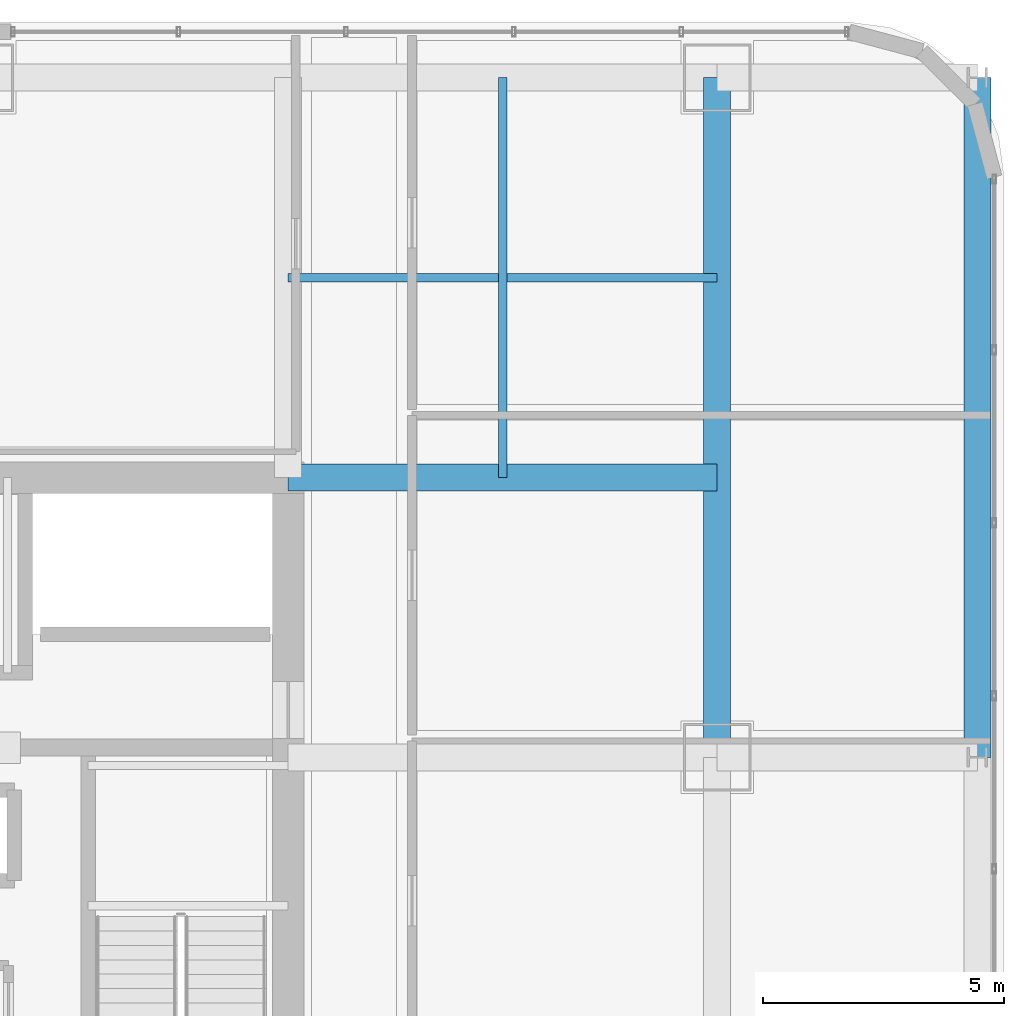
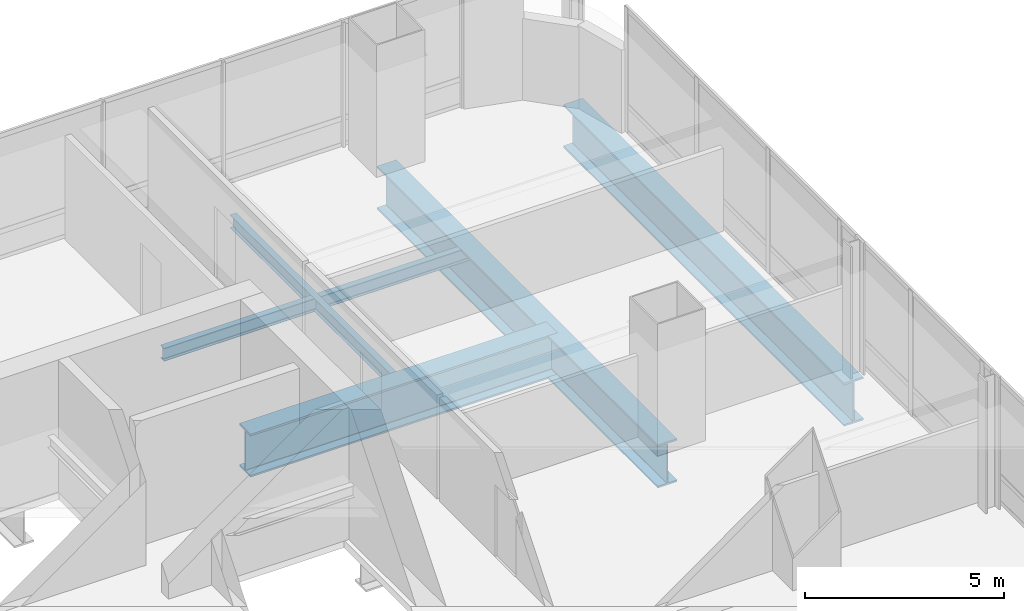
# One storey, part 23 of 41: 5 beams.
"""IFC4 building model written with IfcOpenShell, lengths in metres."""

from ifc_helpers import new_model, si_unit, direction, frame, origin, origin_2d, place, context, subcontext, project, spatial, i_section, extrude, material, material_profile, profile_set, type_object, element, save


model = new_model("IFC4")

# Units and contexts
model_context = context("Model", 3, precision=1e-05, world=origin(), true_north=direction((0.0, 1.0)))
body_context = subcontext(model_context, "Body", "Model", "MODEL_VIEW")
ifc_project = project(units=[si_unit("LENGTHUNIT", "METRE"), si_unit("AREAUNIT", "SQUARE_METRE"), si_unit("VOLUMEUNIT", "CUBIC_METRE"), si_unit("PLANEANGLEUNIT", "RADIAN"), si_unit("MASSUNIT", "GRAM", prefix="KILO")], contexts=[model_context])

# Site, building, storey
site_placement = place(None, origin())
site = spatial("IfcSite", under=ifc_project, at=site_placement, CompositionType="ELEMENT")
building_placement = place(site_placement, origin())
building = spatial("IfcBuilding", under=site, at=building_placement, Name="Punatoya Terracotta Tower", CompositionType="ELEMENT")
storey_placement = place(building_placement, frame((0.0, 0.0, 220.800048828125)))
storey = spatial("IfcBuildingStorey", under=building, at=storey_placement, Name="L52", CompositionType="ELEMENT", Elevation=220.800048828125)

# Beams
ifc_material_1 = material(Name="Steel S355", Category="steel")
ifc_material_profile_1 = material_profile(ifc_material_1, i_section(OverallWidth=0.179931640625, OverallDepth=0.39990234375, WebThickness=0.008544921875, FlangeThickness=0.013427734375, FilletRadius=0.01806640625, at=origin_2d()))
ifc_profile_set_1 = profile_set([ifc_material_profile_1], Name="Steel S355")
beam_type_1 = type_object("IfcBeamType", Name="BM-SEC-400", PredefinedType="JOIST", material=ifc_profile_set_1)
beam_1_placement = place(storey_placement, frame((10.199951171875, 13.35009765625, -0.420166015625), z_axis=(1.0, 0.0, 0.0), x_axis=(0.0, 1.0, 0.0)))
element("IfcBeam", 1, at=beam_1_placement, inside=storey, type_object=beam_type_1, Name="BM-L52-SJN-2", PredefinedType="JOIST", context=body_context, shape_type="SweptSolid", body=[
    extrude(i_section(OverallWidth=0.179931640625, OverallDepth=0.39990234375, WebThickness=0.008544921875, FlangeThickness=0.013427734375, FilletRadius=0.01806640625, at=origin_2d()), origin(), (0.0, 0.0, 1.0), 8.900146484375),
])
beam_2_placement = place(storey_placement, frame((14.64990234375, 9.199951171875, -0.420166015625), z_axis=(0.0, 1.0, 0.0), x_axis=(-1.0, 0.0, 0.0)))
element("IfcBeam", 2, at=beam_2_placement, inside=storey, type_object=beam_type_1, Name="BM-L52-SJE-2", PredefinedType="JOIST", context=body_context, shape_type="SweptSolid", body=[
    extrude(i_section(OverallWidth=0.179931640625, OverallDepth=0.39990234375, WebThickness=0.008544921875, FlangeThickness=0.013427734375, FilletRadius=0.01806640625, at=origin_2d()), origin(), (0.0, 0.0, 1.0), 8.300048828125),
])
ifc_material_2 = material(Name="Steel S460", Category="steel")
ifc_material_profile_2 = material_profile(ifc_material_2, i_section(OverallWidth=0.56005859375, OverallDepth=1.320068359375, WebThickness=0.035888671875, FlangeThickness=0.054931640625, FilletRadius=0.01806640625, at=origin_2d()))
ifc_profile_set_2 = profile_set([ifc_material_profile_2], Name="Steel S460")
beam_type_2 = type_object("IfcBeamType", Name="BM-TG-BLK", PredefinedType="BEAM", material=ifc_profile_set_2)
beam_3_placement = place(storey_placement, frame((19.10009765625, 3.39990234375, -0.880126953125), z_axis=(0.0, 1.0, 0.0), x_axis=(-1.0, 0.0, 0.0)))
element("IfcBeam", 3, at=beam_3_placement, inside=storey, type_object=beam_type_2, Name="BM-L52-RG-E3", PredefinedType="BEAM", context=body_context, shape_type="SweptSolid", body=[
    extrude(i_section(OverallWidth=0.56005859375, OverallDepth=1.320068359375, WebThickness=0.035888671875, FlangeThickness=0.054931640625, FilletRadius=0.01806640625, at=origin_2d()), origin(), (0.0, 0.0, 1.0), 14.10009765625),
])
beam_4_placement = place(storey_placement, frame((10.199951171875, 9.199951171875, -0.880126953125), z_axis=(1.0, 0.0, 0.0), x_axis=(0.0, 1.0, 0.0)))
element("IfcBeam", 4, at=beam_4_placement, inside=storey, type_object=beam_type_2, Name="BM-L52-PR-EN", PredefinedType="BEAM", context=body_context, shape_type="SweptSolid", body=[
    extrude(i_section(OverallWidth=0.56005859375, OverallDepth=1.320068359375, WebThickness=0.035888671875, FlangeThickness=0.054931640625, FilletRadius=0.01806640625, at=origin_2d()), origin(), (0.0, 0.0, 1.0), 8.900146484375),
])
beam_5_placement = place(storey_placement, frame((24.5, 3.39990234375, -0.880126953125), z_axis=(0.0, 1.0, 0.0), x_axis=(-1.0, 0.0, 0.0)))
element("IfcBeam", 5, at=beam_5_placement, inside=storey, type_object=beam_type_2, Name="BM-L52-PER-E2", PredefinedType="BEAM", context=body_context, shape_type="SweptSolid", body=[
    extrude(i_section(OverallWidth=0.56005859375, OverallDepth=1.320068359375, WebThickness=0.035888671875, FlangeThickness=0.054931640625, FilletRadius=0.01806640625, at=origin_2d()), origin(), (0.0, 0.0, 1.0), 14.10009765625),
])

save(model, "model.ifc")
